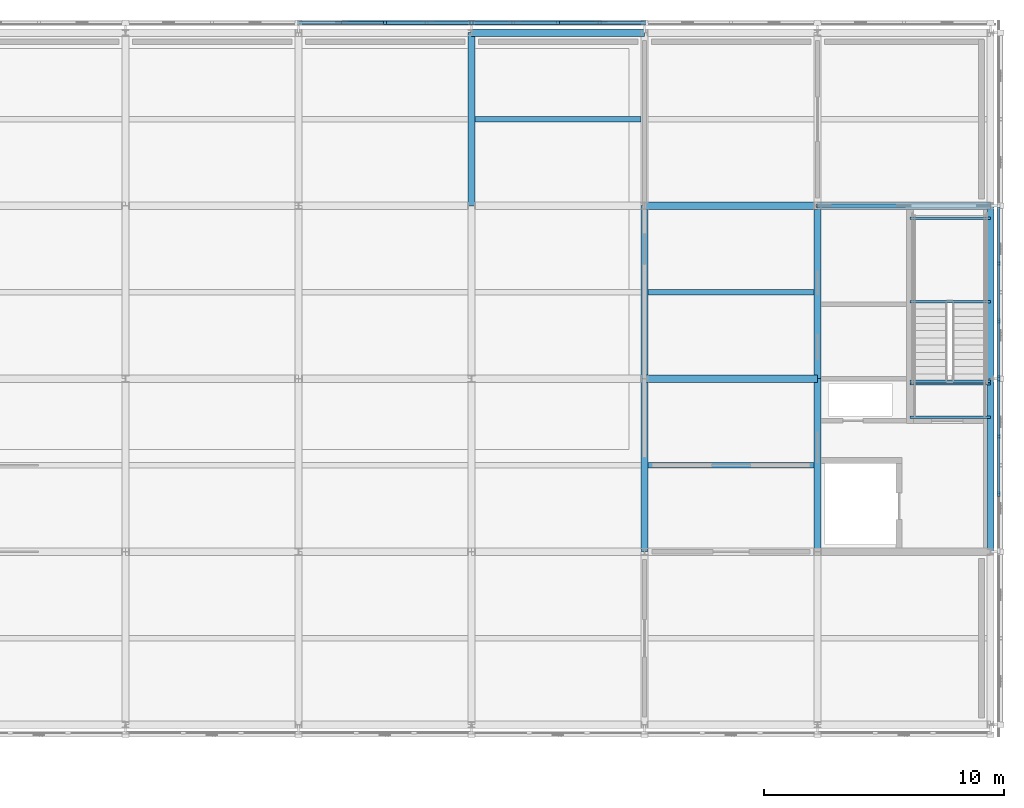
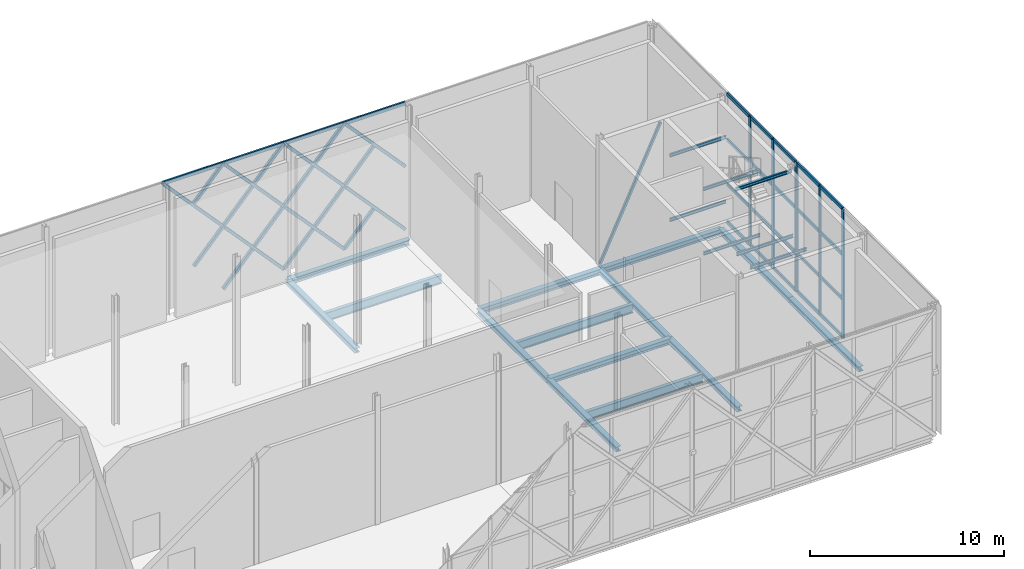
# One storey, part 47 of 76: 48 members, 21 beams, 2 elements without a shape of their own.
"""IFC4 building model written with IfcOpenShell, lengths in metres."""

from ifc_helpers import new_model, si_unit, direction, frame, origin, origin_2d, place, context, subcontext, project, spatial, rectangle, hollow_rectangle, i_section, extrude, material, material_profile, profile_set, type_object, element, aggregate, save


model = new_model("IFC4")

# Units and contexts
model_context = context("Model", 3, precision=1e-05, world=origin(), true_north=direction((0.0, 1.0)))
body_context = subcontext(model_context, "Body", "Model", "MODEL_VIEW")
ifc_project = project(units=[si_unit("LENGTHUNIT", "METRE"), si_unit("AREAUNIT", "SQUARE_METRE"), si_unit("VOLUMEUNIT", "CUBIC_METRE"), si_unit("PLANEANGLEUNIT", "RADIAN"), si_unit("MASSUNIT", "GRAM", prefix="KILO")], contexts=[model_context])

# Site, building, storey
site_placement = place(None, origin())
site = spatial("IfcSite", under=ifc_project, at=site_placement, CompositionType="ELEMENT")
building_placement = place(site_placement, origin())
building = spatial("IfcBuilding", under=site, at=building_placement, Name="Zlatovets Crest Museum", CompositionType="ELEMENT")
storey_placement = place(building_placement, frame((0.0, 0.0, 17.10009765625)))
storey = spatial("IfcBuildingStorey", under=building, at=storey_placement, Name="L04", CompositionType="ELEMENT", Elevation=17.10009765625)

# Beams
ifc_material_1 = material(Name="Structural steel S355J2", Category="steel")
ifc_material_profile_1 = material_profile(ifc_material_1, i_section(OverallWidth=0.300048828125, OverallDepth=0.35009765625, WebThickness=0.010009765625, FlangeThickness=0.017578125, FilletRadius=0.027099609375, at=origin_2d()), Name="HEA 360")
ifc_profile_set_1 = profile_set([ifc_material_profile_1], Name="Structural steel S355J2")
beam_type_1 = type_object("IfcBeamType", Name="Beam_B-03", PredefinedType="BEAM", material=ifc_profile_set_1)
for number, where, z_axis, x_axis, name in (
    (1, (93.60009765625, 100.800048828125, -0.4150390625), (1.0, 0.0, 0.0), (0.0, 1.0, 0.0), "V1 L04 Primary Girder B-03"),
    (2, (93.60009765625, 108.0, -0.4150390625), (1.0, 0.0, 0.0), (0.0, 1.0, 0.0), "V1 L04 Primary Girder B-03"),
    (3, (100.800048828125, 108.0, -0.4150390625), (1.0, 0.0, 0.0), (0.0, 1.0, 0.0), "V1 L04 Primary Girder B-03"),
):
    element("IfcBeam", number, at=place(storey_placement, frame(where, z_axis=z_axis, x_axis=x_axis)), inside=storey, type_object=beam_type_1, Name=name, PredefinedType="BEAM", context=body_context, shape_type="SweptSolid", body=[
        extrude(i_section(OverallWidth=0.300048828125, OverallDepth=0.35009765625, WebThickness=0.010009765625, FlangeThickness=0.017578125, FilletRadius=0.027099609375, at=origin_2d()), origin(), (0.0, 0.0, 1.0), 7.199951171875),
    ])
beam_placement = place(storey_placement, frame((86.39990234375, 115.199951171875, -0.4150390625), z_axis=(1.0, 0.0, 0.0), x_axis=(0.0, 1.0, 0.0)))
element("IfcBeam", 4, at=beam_placement, inside=storey, type_object=beam_type_1, Name="V1 L04 Primary Girder B-03", PredefinedType="BEAM", context=body_context, shape_type="SweptSolid", body=[
    extrude(i_section(OverallWidth=0.300048828125, OverallDepth=0.35009765625, WebThickness=0.010009765625, FlangeThickness=0.017578125, FilletRadius=0.027099609375, at=origin_2d()), origin(), (0.0, 0.0, 1.0), 7.2001953125),
])
ifc_material_profile_2 = material_profile(ifc_material_1, i_section(OverallWidth=0.300048828125, OverallDepth=0.31005859375, WebThickness=0.009033203125, FlangeThickness=0.015380859375, FilletRadius=0.027099609375, at=origin_2d()), Name="HEA 320")
ifc_profile_set_2 = profile_set([ifc_material_profile_2], Name="Structural steel S355J2")
beam_type_2 = type_object("IfcBeamType", Name="Beam_B-04", PredefinedType="BEAM", material=ifc_profile_set_2)
for number, where, z_axis, x_axis, name in (
    (5, (86.39990234375, 108.0, -0.39501953125), (0.0, 1.0, 0.0), (-1.0, 0.0, 0.0), "V1 L04 Grid Beam B-04"),
    (6, (93.60009765625, 93.60009765625, -0.39501953125), (0.0, 1.0, 0.0), (-1.0, 0.0, 0.0), "V1 L04 Grid Beam B-04"),
    (7, (93.60009765625, 100.800048828125, -0.39501953125), (0.0, 1.0, 0.0), (-1.0, 0.0, 0.0), "V1 L04 Grid Beam B-04"),
    (8, (100.800048828125, 93.60009765625, -0.39501953125), (0.0, 1.0, 0.0), (-1.0, 0.0, 0.0), "V1 L04 Grid Beam B-04"),
    (9, (100.800048828125, 100.800048828125, -0.39501953125), (0.0, 1.0, 0.0), (-1.0, 0.0, 0.0), "V1 L04 Grid Beam B-04"),
    (10, (108.0, 93.60009765625, -0.39501953125), (0.0, 1.0, 0.0), (-1.0, 0.0, 0.0), "V1 L04 Grid Beam B-04"),
    (11, (108.0, 100.800048828125, -0.39501953125), (0.0, 1.0, 0.0), (-1.0, 0.0, 0.0), "V1 L04 Grid Beam B-04"),
):
    element("IfcBeam", number, at=place(storey_placement, frame(where, z_axis=z_axis, x_axis=x_axis)), inside=storey, type_object=beam_type_2, Name=name, PredefinedType="BEAM", context=body_context, shape_type="SweptSolid", body=[
        extrude(i_section(OverallWidth=0.300048828125, OverallDepth=0.31005859375, WebThickness=0.009033203125, FlangeThickness=0.015380859375, FilletRadius=0.027099609375, at=origin_2d()), origin(), (0.0, 0.0, 1.0), 7.199951171875),
    ])
ifc_material_profile_3 = material_profile(ifc_material_1, i_section(OverallWidth=0.2099609375, OverallDepth=0.550048828125, WebThickness=0.010986328125, FlangeThickness=0.01708984375, FilletRadius=0.02392578125, at=origin_2d()), Name="IPE 550")
ifc_profile_set_3 = profile_set([ifc_material_profile_3], Name="Structural steel S355J2")
beam_type_3 = type_object("IfcBeamType", Name="Beam_J-07", PredefinedType="JOIST", material=ifc_profile_set_3)
for number, where, z_axis, x_axis, name in (
    (12, (86.550048828125, 111.60009765625, -0.51513671875), (1.0, 0.0, 0.0), (0.0, 1.0, 0.0), "V1 L04 Composite Joist J-07"),
    (13, (93.75, 97.199951171875, -0.51513671875), (1.0, 0.0, 0.0), (0.0, 1.0, 0.0), "V1 L04 Composite Joist J-07"),
    (14, (93.75, 104.39990234375, -0.51513671875), (1.0, 0.0, 0.0), (0.0, 1.0, 0.0), "V1 L04 Composite Joist J-07"),
):
    element("IfcBeam", number, at=place(storey_placement, frame(where, z_axis=z_axis, x_axis=x_axis)), inside=storey, type_object=beam_type_3, Name=name, PredefinedType="JOIST", context=body_context, shape_type="SweptSolid", body=[
        extrude(i_section(OverallWidth=0.2099609375, OverallDepth=0.550048828125, WebThickness=0.010986328125, FlangeThickness=0.01708984375, FilletRadius=0.02392578125, at=origin_2d()), origin(), (0.0, 0.0, 1.0), 6.89990234375),
    ])
ifc_material_profile_4 = material_profile(ifc_material_1, i_section(OverallWidth=0.10009765625, OverallDepth=0.199951171875, WebThickness=0.005615234375, FlangeThickness=0.008544921875, FilletRadius=0.011962890625, at=origin_2d()), Name="IPE 200")
ifc_profile_set_4 = profile_set([ifc_material_profile_4], Name="Structural steel S355J2")
beam_type_4 = type_object("IfcBeamType", Name="Beam_PR-02", PredefinedType="LINTEL", material=ifc_profile_set_4)
for number, where, z_axis, x_axis, name in (
    (15, (104.64990234375, 100.699951171875, 7.760009765625), (1.0, 0.0, 0.0), (0.0, 1.0, 0.0), "Core C6 L04 Stair Well Header Beam"),
    (16, (104.64990234375, 104.0, 1.724853515625), (1.0, 0.0, 0.0), (0.0, 1.0, 0.0), "Core C6 L04 Half-Landing Support Beam"),
    (17, (104.64990234375, 107.47998046875, 1.724853515625), (1.0, 0.0, 0.0), (0.0, 1.0, 0.0), "Core C6 L04 Half-Landing Support Beam"),
    (18, (104.64990234375, 99.199951171875, 3.75), (1.0, 0.0, 0.0), (0.0, 1.0, 0.0), "Core C6 L04 Half-Landing Support Beam"),
    (19, (104.64990234375, 100.580078125, 3.75), (1.0, 0.0, 0.0), (0.0, 1.0, 0.0), "Core C6 L04 Half-Landing Support Beam"),
    (20, (104.64990234375, 104.0, 5.77490234375), (1.0, 0.0, 0.0), (0.0, 1.0, 0.0), "Core C6 L04 Half-Landing Support Beam"),
    (21, (104.64990234375, 107.47998046875, 5.77490234375), (1.0, 0.0, 0.0), (0.0, 1.0, 0.0), "Core C6 L04 Half-Landing Support Beam"),
):
    element("IfcBeam", number, at=place(storey_placement, frame(where, z_axis=z_axis, x_axis=x_axis)), inside=storey, type_object=beam_type_4, Name=name, PredefinedType="LINTEL", context=body_context, shape_type="SweptSolid", body=[
        extrude(i_section(OverallWidth=0.10009765625, OverallDepth=0.199951171875, WebThickness=0.005615234375, FlangeThickness=0.008544921875, FilletRadius=0.011962890625, at=origin_2d()), origin(), (0.0, 0.0, 1.0), 3.35009765625),
    ])

# Curtain wall, members
ifc_material_2 = material(Name="Bronze-anodised aluminium and low-E triple glass", Category="aluminium")
curtain_wall_type_1 = type_object("IfcCurtainWallType", Name="CW_CW-V1-L04-M0", PredefinedType="NOTDEFINED", material=ifc_material_2)
curtain_wall_1_placement = place(storey_placement, origin())
curtain_wall_1 = element("IfcCurtainWall", 22, at=curtain_wall_1_placement, inside=storey, type_object=curtain_wall_type_1, Name="V1 L04 Expressed Core Glazed Facade", PredefinedType="NOTDEFINED")
ifc_material_3 = material(Name="Bronze-anodised aluminium EN AW-6060", Category="aluminium")
ifc_material_profile_5 = material_profile(ifc_material_3, rectangle(XDim=0.090087890625, YDim=0.199951171875, at=origin_2d()), Name="ALU 90x200")
ifc_profile_set_5 = profile_set([ifc_material_profile_5], Name="Bronze-anodised aluminium EN AW-6060")
member_type_1 = type_object("IfcMemberType", Name="CWMull_M2", PredefinedType="MULLION", material=ifc_profile_set_5)
member_1_placement = place(storey_placement, frame((108.340087890625, 96.0, 0.0), z_axis=(0.0, 0.0, 1.0), x_axis=(-1.0, 0.0, 0.0)))
member_1 = element("IfcMember", 23, at=member_1_placement, type_object=member_type_1, Name="CW-V1-L04-M0 mullion 2", PredefinedType="MULLION", context=body_context, shape_type="SweptSolid", body=[
    extrude(rectangle(XDim=0.090087890625, YDim=0.199951171875, at=origin_2d()), origin(), (0.0, 0.0, 1.0), 8.099853515625),
])
member_2_placement = place(storey_placement, frame((108.340087890625, 98.39990234375, 0.0), z_axis=(0.0, 0.0, 1.0), x_axis=(-1.0, 0.0, 0.0)))
member_2 = element("IfcMember", 24, at=member_2_placement, type_object=member_type_1, Name="CW-V1-L04-M0 mullion 3", PredefinedType="MULLION", context=body_context, shape_type="SweptSolid", body=[
    extrude(rectangle(XDim=0.090087890625, YDim=0.199951171875, at=origin_2d()), origin(), (0.0, 0.0, 1.0), 8.099853515625),
])
member_3_placement = place(storey_placement, frame((108.340087890625, 100.77001953125, 0.0), z_axis=(0.0, 0.0, 1.0), x_axis=(-1.0, 0.0, 0.0)))
member_3 = element("IfcMember", 25, at=member_3_placement, type_object=member_type_1, Name="CW-V1-L04-M0 mullion 4", PredefinedType="MULLION", context=body_context, shape_type="SweptSolid", body=[
    extrude(rectangle(XDim=0.090087890625, YDim=0.199951171875, at=origin_2d()), origin(), (0.0, 0.0, 1.0), 8.099853515625),
])

curtain_wall_type_2 = type_object("IfcCurtainWallType", Name="CW_CW-V1-L04-M1", PredefinedType="NOTDEFINED", material=ifc_material_2)
curtain_wall_2_placement = place(storey_placement, origin())
curtain_wall_2 = element("IfcCurtainWall", 26, at=curtain_wall_2_placement, inside=storey, type_object=curtain_wall_type_2, Name="V1 L04 Expressed Core Glazed Facade", PredefinedType="NOTDEFINED")
member_4_placement = place(storey_placement, frame((108.340087890625, 100.830078125, 0.0), z_axis=(0.0, 0.0, 1.0), x_axis=(-1.0, 0.0, 0.0)))
member_4 = element("IfcMember", 27, at=member_4_placement, type_object=member_type_1, Name="CW-V1-L04-M1 mullion 1", PredefinedType="MULLION", context=body_context, shape_type="SweptSolid", body=[
    extrude(rectangle(XDim=0.090087890625, YDim=0.199951171875, at=origin_2d()), origin(), (0.0, 0.0, 1.0), 8.099853515625),
])
member_5_placement = place(storey_placement, frame((108.340087890625, 103.199951171875, 0.0), z_axis=(0.0, 0.0, 1.0), x_axis=(-1.0, 0.0, 0.0)))
member_5 = element("IfcMember", 28, at=member_5_placement, type_object=member_type_1, Name="CW-V1-L04-M1 mullion 2", PredefinedType="MULLION", context=body_context, shape_type="SweptSolid", body=[
    extrude(rectangle(XDim=0.090087890625, YDim=0.199951171875, at=origin_2d()), origin(), (0.0, 0.0, 1.0), 8.099853515625),
])
member_6_placement = place(storey_placement, frame((108.340087890625, 105.60009765625, 0.0), z_axis=(0.0, 0.0, 1.0), x_axis=(-1.0, 0.0, 0.0)))
member_6 = element("IfcMember", 29, at=member_6_placement, type_object=member_type_1, Name="CW-V1-L04-M1 mullion 3", PredefinedType="MULLION", context=body_context, shape_type="SweptSolid", body=[
    extrude(rectangle(XDim=0.090087890625, YDim=0.199951171875, at=origin_2d()), origin(), (0.0, 0.0, 1.0), 8.099853515625),
])

# Member
ifc_material_profile_6 = material_profile(ifc_material_3, rectangle(XDim=0.090087890625, YDim=0.199951171875, at=origin_2d()), Name="ALU 90x200")
ifc_profile_set_6 = profile_set([ifc_material_profile_6], Name="Bronze-anodised aluminium EN AW-6060")
member_type_2 = type_object("IfcMemberType", Name="CWTrans_T2", PredefinedType="USERDEFINED", material=ifc_profile_set_6)
member_7_placement = place(storey_placement, frame((108.340087890625, 96.030029296875, 0.02978515625), z_axis=(0.0, 1.0, 0.0), x_axis=(-1.0, 0.0, 0.0)))
member_7 = element("IfcMember", 30, at=member_7_placement, type_object=member_type_2, Name="CW-V1-L04-M0 transom 2.1", ObjectType="TRANSOM", PredefinedType="USERDEFINED", context=body_context, shape_type="SweptSolid", body=[
    extrude(rectangle(XDim=0.090087890625, YDim=0.199951171875, at=origin_2d()), origin(), (0.0, 0.0, 1.0), 2.340087890625),
])

member_8_placement = place(storey_placement, frame((108.340087890625, 96.030029296875, 2.39990234375), z_axis=(0.0, 1.0, 0.0), x_axis=(-1.0, 0.0, 0.0)))
member_8 = element("IfcMember", 31, at=member_8_placement, type_object=member_type_2, Name="CW-V1-L04-M0 transom 2.2", ObjectType="TRANSOM", PredefinedType="USERDEFINED", context=body_context, shape_type="SweptSolid", body=[
    extrude(rectangle(XDim=0.090087890625, YDim=0.199951171875, at=origin_2d()), origin(), (0.0, 0.0, 1.0), 2.340087890625),
])

member_9_placement = place(storey_placement, frame((108.340087890625, 96.030029296875, 5.199951171875), z_axis=(0.0, 1.0, 0.0), x_axis=(-1.0, 0.0, 0.0)))
member_9 = element("IfcMember", 32, at=member_9_placement, type_object=member_type_2, Name="CW-V1-L04-M0 transom 2.3", ObjectType="TRANSOM", PredefinedType="USERDEFINED", context=body_context, shape_type="SweptSolid", body=[
    extrude(rectangle(XDim=0.090087890625, YDim=0.199951171875, at=origin_2d()), origin(), (0.0, 0.0, 1.0), 2.340087890625),
])

member_10_placement = place(storey_placement, frame((108.340087890625, 96.030029296875, 8.06982421875), z_axis=(0.0, 1.0, 0.0), x_axis=(-1.0, 0.0, 0.0)))
member_10 = element("IfcMember", 33, at=member_10_placement, type_object=member_type_2, Name="CW-V1-L04-M0 transom 2.4", ObjectType="TRANSOM", PredefinedType="USERDEFINED", context=body_context, shape_type="SweptSolid", body=[
    extrude(rectangle(XDim=0.090087890625, YDim=0.199951171875, at=origin_2d()), origin(), (0.0, 0.0, 1.0), 2.340087890625),
])

member_11_placement = place(storey_placement, frame((108.340087890625, 98.429931640625, 0.02978515625), z_axis=(0.0, 1.0, 0.0), x_axis=(-1.0, 0.0, 0.0)))
member_11 = element("IfcMember", 34, at=member_11_placement, type_object=member_type_2, Name="CW-V1-L04-M0 transom 3.1", ObjectType="TRANSOM", PredefinedType="USERDEFINED", context=body_context, shape_type="SweptSolid", body=[
    extrude(rectangle(XDim=0.090087890625, YDim=0.199951171875, at=origin_2d()), origin(), (0.0, 0.0, 1.0), 2.31005859375),
])

member_12_placement = place(storey_placement, frame((108.340087890625, 98.429931640625, 2.39990234375), z_axis=(0.0, 1.0, 0.0), x_axis=(-1.0, 0.0, 0.0)))
member_12 = element("IfcMember", 35, at=member_12_placement, type_object=member_type_2, Name="CW-V1-L04-M0 transom 3.2", ObjectType="TRANSOM", PredefinedType="USERDEFINED", context=body_context, shape_type="SweptSolid", body=[
    extrude(rectangle(XDim=0.090087890625, YDim=0.199951171875, at=origin_2d()), origin(), (0.0, 0.0, 1.0), 2.31005859375),
])

member_13_placement = place(storey_placement, frame((108.340087890625, 98.429931640625, 5.199951171875), z_axis=(0.0, 1.0, 0.0), x_axis=(-1.0, 0.0, 0.0)))
member_13 = element("IfcMember", 36, at=member_13_placement, type_object=member_type_2, Name="CW-V1-L04-M0 transom 3.3", ObjectType="TRANSOM", PredefinedType="USERDEFINED", context=body_context, shape_type="SweptSolid", body=[
    extrude(rectangle(XDim=0.090087890625, YDim=0.199951171875, at=origin_2d()), origin(), (0.0, 0.0, 1.0), 2.31005859375),
])

member_14_placement = place(storey_placement, frame((108.340087890625, 98.429931640625, 8.06982421875), z_axis=(0.0, 1.0, 0.0), x_axis=(-1.0, 0.0, 0.0)))
member_14 = element("IfcMember", 37, at=member_14_placement, type_object=member_type_2, Name="CW-V1-L04-M0 transom 3.4", ObjectType="TRANSOM", PredefinedType="USERDEFINED", context=body_context, shape_type="SweptSolid", body=[
    extrude(rectangle(XDim=0.090087890625, YDim=0.199951171875, at=origin_2d()), origin(), (0.0, 0.0, 1.0), 2.31005859375),
])

aggregate(curtain_wall_1, [member_1, member_2, member_3, member_7, member_8, member_9, member_10, member_11, member_12, member_13, member_14])

member_15_placement = place(storey_placement, frame((108.340087890625, 100.860107421875, 0.02978515625), z_axis=(0.0, 1.0, 0.0), x_axis=(-1.0, 0.0, 0.0)))
member_15 = element("IfcMember", 38, at=member_15_placement, type_object=member_type_2, Name="CW-V1-L04-M1 transom 1.1", ObjectType="TRANSOM", PredefinedType="USERDEFINED", context=body_context, shape_type="SweptSolid", body=[
    extrude(rectangle(XDim=0.090087890625, YDim=0.199951171875, at=origin_2d()), origin(), (0.0, 0.0, 1.0), 2.309814453125),
])

member_16_placement = place(storey_placement, frame((108.340087890625, 100.860107421875, 2.39990234375), z_axis=(0.0, 1.0, 0.0), x_axis=(-1.0, 0.0, 0.0)))
member_16 = element("IfcMember", 39, at=member_16_placement, type_object=member_type_2, Name="CW-V1-L04-M1 transom 1.2", ObjectType="TRANSOM", PredefinedType="USERDEFINED", context=body_context, shape_type="SweptSolid", body=[
    extrude(rectangle(XDim=0.090087890625, YDim=0.199951171875, at=origin_2d()), origin(), (0.0, 0.0, 1.0), 2.309814453125),
])

member_17_placement = place(storey_placement, frame((108.340087890625, 100.860107421875, 5.199951171875), z_axis=(0.0, 1.0, 0.0), x_axis=(-1.0, 0.0, 0.0)))
member_17 = element("IfcMember", 40, at=member_17_placement, type_object=member_type_2, Name="CW-V1-L04-M1 transom 1.3", ObjectType="TRANSOM", PredefinedType="USERDEFINED", context=body_context, shape_type="SweptSolid", body=[
    extrude(rectangle(XDim=0.090087890625, YDim=0.199951171875, at=origin_2d()), origin(), (0.0, 0.0, 1.0), 2.309814453125),
])

member_18_placement = place(storey_placement, frame((108.340087890625, 100.860107421875, 8.06982421875), z_axis=(0.0, 1.0, 0.0), x_axis=(-1.0, 0.0, 0.0)))
member_18 = element("IfcMember", 41, at=member_18_placement, type_object=member_type_2, Name="CW-V1-L04-M1 transom 1.4", ObjectType="TRANSOM", PredefinedType="USERDEFINED", context=body_context, shape_type="SweptSolid", body=[
    extrude(rectangle(XDim=0.090087890625, YDim=0.199951171875, at=origin_2d()), origin(), (0.0, 0.0, 1.0), 2.309814453125),
])

member_19_placement = place(storey_placement, frame((108.340087890625, 103.22998046875, 0.02978515625), z_axis=(0.0, 1.0, 0.0), x_axis=(-1.0, 0.0, 0.0)))
member_19 = element("IfcMember", 42, at=member_19_placement, type_object=member_type_2, Name="CW-V1-L04-M1 transom 2.1", ObjectType="TRANSOM", PredefinedType="USERDEFINED", context=body_context, shape_type="SweptSolid", body=[
    extrude(rectangle(XDim=0.090087890625, YDim=0.199951171875, at=origin_2d()), origin(), (0.0, 0.0, 1.0), 2.340087890625),
])

member_20_placement = place(storey_placement, frame((108.340087890625, 103.22998046875, 2.39990234375), z_axis=(0.0, 1.0, 0.0), x_axis=(-1.0, 0.0, 0.0)))
member_20 = element("IfcMember", 43, at=member_20_placement, type_object=member_type_2, Name="CW-V1-L04-M1 transom 2.2", ObjectType="TRANSOM", PredefinedType="USERDEFINED", context=body_context, shape_type="SweptSolid", body=[
    extrude(rectangle(XDim=0.090087890625, YDim=0.199951171875, at=origin_2d()), origin(), (0.0, 0.0, 1.0), 2.340087890625),
])

member_21_placement = place(storey_placement, frame((108.340087890625, 103.22998046875, 5.199951171875), z_axis=(0.0, 1.0, 0.0), x_axis=(-1.0, 0.0, 0.0)))
member_21 = element("IfcMember", 44, at=member_21_placement, type_object=member_type_2, Name="CW-V1-L04-M1 transom 2.3", ObjectType="TRANSOM", PredefinedType="USERDEFINED", context=body_context, shape_type="SweptSolid", body=[
    extrude(rectangle(XDim=0.090087890625, YDim=0.199951171875, at=origin_2d()), origin(), (0.0, 0.0, 1.0), 2.340087890625),
])

member_22_placement = place(storey_placement, frame((108.340087890625, 103.22998046875, 8.06982421875), z_axis=(0.0, 1.0, 0.0), x_axis=(-1.0, 0.0, 0.0)))
member_22 = element("IfcMember", 45, at=member_22_placement, type_object=member_type_2, Name="CW-V1-L04-M1 transom 2.4", ObjectType="TRANSOM", PredefinedType="USERDEFINED", context=body_context, shape_type="SweptSolid", body=[
    extrude(rectangle(XDim=0.090087890625, YDim=0.199951171875, at=origin_2d()), origin(), (0.0, 0.0, 1.0), 2.340087890625),
])

member_23_placement = place(storey_placement, frame((108.340087890625, 105.6298828125, 0.02978515625), z_axis=(0.0, 1.0, 0.0), x_axis=(-1.0, 0.0, 0.0)))
member_23 = element("IfcMember", 46, at=member_23_placement, type_object=member_type_2, Name="CW-V1-L04-M1 transom 3.1", ObjectType="TRANSOM", PredefinedType="USERDEFINED", context=body_context, shape_type="SweptSolid", body=[
    extrude(rectangle(XDim=0.090087890625, YDim=0.199951171875, at=origin_2d()), origin(), (0.0, 0.0, 1.0), 2.31005859375),
])

member_24_placement = place(storey_placement, frame((108.340087890625, 105.6298828125, 2.39990234375), z_axis=(0.0, 1.0, 0.0), x_axis=(-1.0, 0.0, 0.0)))
member_24 = element("IfcMember", 47, at=member_24_placement, type_object=member_type_2, Name="CW-V1-L04-M1 transom 3.2", ObjectType="TRANSOM", PredefinedType="USERDEFINED", context=body_context, shape_type="SweptSolid", body=[
    extrude(rectangle(XDim=0.090087890625, YDim=0.199951171875, at=origin_2d()), origin(), (0.0, 0.0, 1.0), 2.31005859375),
])

member_25_placement = place(storey_placement, frame((108.340087890625, 105.6298828125, 5.199951171875), z_axis=(0.0, 1.0, 0.0), x_axis=(-1.0, 0.0, 0.0)))
member_25 = element("IfcMember", 48, at=member_25_placement, type_object=member_type_2, Name="CW-V1-L04-M1 transom 3.3", ObjectType="TRANSOM", PredefinedType="USERDEFINED", context=body_context, shape_type="SweptSolid", body=[
    extrude(rectangle(XDim=0.090087890625, YDim=0.199951171875, at=origin_2d()), origin(), (0.0, 0.0, 1.0), 2.31005859375),
])

member_26_placement = place(storey_placement, frame((108.340087890625, 105.6298828125, 8.06982421875), z_axis=(0.0, 1.0, 0.0), x_axis=(-1.0, 0.0, 0.0)))
member_26 = element("IfcMember", 49, at=member_26_placement, type_object=member_type_2, Name="CW-V1-L04-M1 transom 3.4", ObjectType="TRANSOM", PredefinedType="USERDEFINED", context=body_context, shape_type="SweptSolid", body=[
    extrude(rectangle(XDim=0.090087890625, YDim=0.199951171875, at=origin_2d()), origin(), (0.0, 0.0, 1.0), 2.31005859375),
])

aggregate(curtain_wall_2, [member_4, member_5, member_6, member_15, member_16, member_17, member_18, member_19, member_20, member_21, member_22, member_23, member_24, member_25, member_26])

# Members
ifc_material_4 = material(Name="Weathering bronze-steel S355J2W", Category="steel")
ifc_material_profile_7 = material_profile(ifc_material_4, hollow_rectangle(XDim=0.179931640625, YDim=0.179931640625, WallThickness=0.010009765625, InnerFilletRadius=0.010009765625, OuterFilletRadius=0.02001953125, at=origin_2d()), Name="SHS 180x180x10.0")
ifc_profile_set_7 = profile_set([ifc_material_profile_7], Name="Weathering bronze-steel S355J2W")
member_type_3 = type_object("IfcMemberType", Name="Lattice_XL-01", PredefinedType="BRACE", material=ifc_profile_set_7)
member_27_placement = place(storey_placement, frame((93.60009765625, 115.6201171875, 0.099853515625), z_axis=(-0.673618118362, 0.0, 0.739079583411), x_axis=(0.0, -1.0, 0.0)))
element("IfcMember", 50, at=member_27_placement, inside=storey, type_object=member_type_3, Name="Continuous Bronze Lattice Diagonal", PredefinedType="BRACE", context=body_context, shape_type="SweptSolid", body=[
    extrude(hollow_rectangle(XDim=0.179931640625, YDim=0.179931640625, WallThickness=0.010009765625, InnerFilletRadius=0.010009765625, OuterFilletRadius=0.02001953125, at=origin_2d()), origin(), (0.0, 0.0, 1.0), 5.344482421875),
])
member_28_placement = place(storey_placement, frame((91.736083984375, 115.6201171875, 2.004638671875), z_axis=(-0.673619963761, 0.0, -0.739077901457), x_axis=(0.0, -1.0, 0.0)))
element("IfcMember", 51, at=member_28_placement, inside=storey, type_object=member_type_3, Name="Split Crossing Bronze Lattice Diagonal Lower", PredefinedType="BRACE", context=body_context, shape_type="SweptSolid", body=[
    extrude(hollow_rectangle(XDim=0.179931640625, YDim=0.179931640625, WallThickness=0.010009765625, InnerFilletRadius=0.010009765625, OuterFilletRadius=0.02001953125, at=origin_2d()), origin(), (0.0, 0.0, 1.0), 2.5771484375),
])
member_29_placement = place(storey_placement, frame((90.0, 115.6201171875, 0.099853515625), z_axis=(-0.673618118362, 0.0, 0.739079583411), x_axis=(0.0, -1.0, 0.0)))
element("IfcMember", 52, at=member_29_placement, inside=storey, type_object=member_type_3, Name="Continuous Bronze Lattice Diagonal", PredefinedType="BRACE", context=body_context, shape_type="SweptSolid", body=[
    extrude(hollow_rectangle(XDim=0.179931640625, YDim=0.179931640625, WallThickness=0.010009765625, InnerFilletRadius=0.010009765625, OuterFilletRadius=0.02001953125, at=origin_2d()), origin(), (0.0, 0.0, 1.0), 5.344482421875),
])
for number, where, z_axis, x_axis, name in (
    (53, (90.0, 115.6201171875, 4.0498046875), (-0.673619963761, 0.0, -0.739077901457), (0.0, -1.0, 0.0), "Split Crossing Bronze Lattice Diagonal Upper"),
    (54, (88.135986328125, 115.6201171875, 2.004638671875), (-0.673619963761, 0.0, -0.739077901457), (0.0, -1.0, 0.0), "Split Crossing Bronze Lattice Diagonal Lower"),
):
    element("IfcMember", number, at=place(storey_placement, frame(where, z_axis=z_axis, x_axis=x_axis)), inside=storey, type_object=member_type_3, Name=name, PredefinedType="BRACE", context=body_context, shape_type="SweptSolid", body=[
        extrude(hollow_rectangle(XDim=0.179931640625, YDim=0.179931640625, WallThickness=0.010009765625, InnerFilletRadius=0.010009765625, OuterFilletRadius=0.02001953125, at=origin_2d()), origin(), (0.0, 0.0, 1.0), 2.5771484375),
    ])
member_30_placement = place(storey_placement, frame((93.60009765625, 115.6201171875, 4.0498046875), z_axis=(-0.673595375981, 0.0, 0.739100310822), x_axis=(0.0, -1.0, 0.0)))
element("IfcMember", 55, at=member_30_placement, inside=storey, type_object=member_type_3, Name="Continuous Bronze Lattice Diagonal", PredefinedType="BRACE", context=body_context, shape_type="SweptSolid", body=[
    extrude(hollow_rectangle(XDim=0.179931640625, YDim=0.179931640625, WallThickness=0.010009765625, InnerFilletRadius=0.010009765625, OuterFilletRadius=0.02001953125, at=origin_2d()), origin(), (0.0, 0.0, 1.0), 5.344482421875),
])
member_31_placement = place(storey_placement, frame((91.736083984375, 115.6201171875, 5.95458984375), z_axis=(-0.673619963761, 0.0, -0.739077901457), x_axis=(0.0, -1.0, 0.0)))
element("IfcMember", 56, at=member_31_placement, inside=storey, type_object=member_type_3, Name="Split Crossing Bronze Lattice Diagonal Lower", PredefinedType="BRACE", context=body_context, shape_type="SweptSolid", body=[
    extrude(hollow_rectangle(XDim=0.179931640625, YDim=0.179931640625, WallThickness=0.010009765625, InnerFilletRadius=0.010009765625, OuterFilletRadius=0.02001953125, at=origin_2d()), origin(), (0.0, 0.0, 1.0), 2.5771484375),
])
member_32_placement = place(storey_placement, frame((90.0, 115.6201171875, 4.0498046875), z_axis=(-0.673595375981, 0.0, 0.739100310822), x_axis=(0.0, -1.0, 0.0)))
element("IfcMember", 57, at=member_32_placement, inside=storey, type_object=member_type_3, Name="Continuous Bronze Lattice Diagonal", PredefinedType="BRACE", context=body_context, shape_type="SweptSolid", body=[
    extrude(hollow_rectangle(XDim=0.179931640625, YDim=0.179931640625, WallThickness=0.010009765625, InnerFilletRadius=0.010009765625, OuterFilletRadius=0.02001953125, at=origin_2d()), origin(), (0.0, 0.0, 1.0), 5.344482421875),
])
for number, where, z_axis, x_axis, name in (
    (58, (90.0, 115.6201171875, 8.0), (-0.673619963761, 0.0, -0.739077901457), (0.0, -1.0, 0.0), "Split Crossing Bronze Lattice Diagonal Upper"),
    (59, (88.135986328125, 115.6201171875, 5.95458984375), (-0.673619963761, 0.0, -0.739077901457), (0.0, -1.0, 0.0), "Split Crossing Bronze Lattice Diagonal Lower"),
):
    element("IfcMember", number, at=place(storey_placement, frame(where, z_axis=z_axis, x_axis=x_axis)), inside=storey, type_object=member_type_3, Name=name, PredefinedType="BRACE", context=body_context, shape_type="SweptSolid", body=[
        extrude(hollow_rectangle(XDim=0.179931640625, YDim=0.179931640625, WallThickness=0.010009765625, InnerFilletRadius=0.010009765625, OuterFilletRadius=0.02001953125, at=origin_2d()), origin(), (0.0, 0.0, 1.0), 2.5771484375),
    ])
member_33_placement = place(storey_placement, frame((86.39990234375, 115.6201171875, 0.099853515625), z_axis=(-0.673593164257, 0.0, 0.739102326519), x_axis=(0.0, -1.0, 0.0)))
element("IfcMember", 60, at=member_33_placement, inside=storey, type_object=member_type_3, Name="Continuous Bronze Lattice Diagonal", PredefinedType="BRACE", context=body_context, shape_type="SweptSolid", body=[
    extrude(hollow_rectangle(XDim=0.179931640625, YDim=0.179931640625, WallThickness=0.010009765625, InnerFilletRadius=0.010009765625, OuterFilletRadius=0.02001953125, at=origin_2d()), origin(), (0.0, 0.0, 1.0), 5.34423828125),
])
for number, where, z_axis, x_axis, name in (
    (61, (86.39990234375, 115.6201171875, 4.0498046875), (-0.673568214247, 0.0, -0.739125064354), (0.0, -1.0, 0.0), "Split Crossing Bronze Lattice Diagonal Upper"),
    (62, (84.535888671875, 115.6201171875, 2.004638671875), (-0.673568214247, 0.0, -0.739125064354), (0.0, -1.0, 0.0), "Split Crossing Bronze Lattice Diagonal Lower"),
    (63, (82.800048828125, 115.6201171875, 4.0498046875), (-0.673619963761, 0.0, -0.739077901457), (0.0, -1.0, 0.0), "Split Crossing Bronze Lattice Diagonal Upper"),
):
    element("IfcMember", number, at=place(storey_placement, frame(where, z_axis=z_axis, x_axis=x_axis)), inside=storey, type_object=member_type_3, Name=name, PredefinedType="BRACE", context=body_context, shape_type="SweptSolid", body=[
        extrude(hollow_rectangle(XDim=0.179931640625, YDim=0.179931640625, WallThickness=0.010009765625, InnerFilletRadius=0.010009765625, OuterFilletRadius=0.02001953125, at=origin_2d()), origin(), (0.0, 0.0, 1.0), 2.5771484375),
    ])
member_34_placement = place(storey_placement, frame((86.39990234375, 115.6201171875, 4.0498046875), z_axis=(-0.67357042132, 0.0, 0.739123053032), x_axis=(0.0, -1.0, 0.0)))
element("IfcMember", 64, at=member_34_placement, inside=storey, type_object=member_type_3, Name="Continuous Bronze Lattice Diagonal", PredefinedType="BRACE", context=body_context, shape_type="SweptSolid", body=[
    extrude(hollow_rectangle(XDim=0.179931640625, YDim=0.179931640625, WallThickness=0.010009765625, InnerFilletRadius=0.010009765625, OuterFilletRadius=0.02001953125, at=origin_2d()), origin(), (0.0, 0.0, 1.0), 5.344482421875),
])
for number, where, z_axis, x_axis, name in (
    (65, (86.39990234375, 115.6201171875, 8.0), (-0.673568214247, 0.0, -0.739125064354), (0.0, -1.0, 0.0), "Split Crossing Bronze Lattice Diagonal Upper"),
    (66, (84.535888671875, 115.6201171875, 5.95458984375), (-0.673568214247, 0.0, -0.739125064354), (0.0, -1.0, 0.0), "Split Crossing Bronze Lattice Diagonal Lower"),
):
    element("IfcMember", number, at=place(storey_placement, frame(where, z_axis=z_axis, x_axis=x_axis)), inside=storey, type_object=member_type_3, Name=name, PredefinedType="BRACE", context=body_context, shape_type="SweptSolid", body=[
        extrude(hollow_rectangle(XDim=0.179931640625, YDim=0.179931640625, WallThickness=0.010009765625, InnerFilletRadius=0.010009765625, OuterFilletRadius=0.02001953125, at=origin_2d()), origin(), (0.0, 0.0, 1.0), 2.5771484375),
    ])
member_35_placement = place(storey_placement, frame((82.800048828125, 115.6201171875, 4.0498046875), z_axis=(-0.673595375981, 0.0, 0.739100310822), x_axis=(0.0, -1.0, 0.0)))
element("IfcMember", 67, at=member_35_placement, inside=storey, type_object=member_type_3, Name="Continuous Bronze Lattice Diagonal", PredefinedType="BRACE", context=body_context, shape_type="SweptSolid", body=[
    extrude(hollow_rectangle(XDim=0.179931640625, YDim=0.179931640625, WallThickness=0.010009765625, InnerFilletRadius=0.010009765625, OuterFilletRadius=0.02001953125, at=origin_2d()), origin(), (0.0, 0.0, 1.0), 5.344482421875),
])
member_36_placement = place(storey_placement, frame((82.800048828125, 115.6201171875, 8.0), z_axis=(-0.673619963761, 0.0, -0.739077901457), x_axis=(0.0, -1.0, 0.0)))
element("IfcMember", 68, at=member_36_placement, inside=storey, type_object=member_type_3, Name="Split Crossing Bronze Lattice Diagonal Upper", PredefinedType="BRACE", context=body_context, shape_type="SweptSolid", body=[
    extrude(hollow_rectangle(XDim=0.179931640625, YDim=0.179931640625, WallThickness=0.010009765625, InnerFilletRadius=0.010009765625, OuterFilletRadius=0.02001953125, at=origin_2d()), origin(), (0.0, 0.0, 1.0), 2.5771484375),
])
ifc_material_profile_8 = material_profile(ifc_material_4, hollow_rectangle(XDim=0.1201171875, YDim=0.239990234375, WallThickness=0.010009765625, InnerFilletRadius=0.010009765625, OuterFilletRadius=0.02001953125, at=origin_2d()), Name="RHS 120x240x10.0")
ifc_profile_set_8 = profile_set([ifc_material_profile_8], Name="Weathering bronze-steel S355J2W")
member_type_4 = type_object("IfcMemberType", Name="Lattice_XL-04", PredefinedType="CHORD", material=ifc_profile_set_8)
member_37_placement = place(storey_placement, frame((93.60009765625, 115.6201171875, 8.0), z_axis=(-1.0, 0.0, 0.0), x_axis=(0.0, -1.0, 0.0)))
element("IfcMember", 69, at=member_37_placement, inside=storey, type_object=member_type_4, Name="Art Nouveau Woven Cage Collector Ring Chord", PredefinedType="CHORD", context=body_context, shape_type="SweptSolid", body=[
    extrude(hollow_rectangle(XDim=0.1201171875, YDim=0.239990234375, WallThickness=0.010009765625, InnerFilletRadius=0.010009765625, OuterFilletRadius=0.02001953125, at=origin_2d()), origin(), (0.0, 0.0, 1.0), 7.2001953125),
])
member_38_placement = place(storey_placement, frame((86.39990234375, 115.6201171875, 8.0), z_axis=(-1.0, 0.0, 0.0), x_axis=(0.0, -1.0, 0.0)))
element("IfcMember", 70, at=member_38_placement, inside=storey, type_object=member_type_4, Name="Art Nouveau Woven Cage Collector Ring Chord", PredefinedType="CHORD", context=body_context, shape_type="SweptSolid", body=[
    extrude(hollow_rectangle(XDim=0.1201171875, YDim=0.239990234375, WallThickness=0.010009765625, InnerFilletRadius=0.010009765625, OuterFilletRadius=0.02001953125, at=origin_2d()), origin(), (0.0, 0.0, 1.0), 7.199951171875),
])
ifc_material_profile_9 = material_profile(ifc_material_1, hollow_rectangle(XDim=0.14990234375, YDim=0.14990234375, WallThickness=0.008056640625, InnerFilletRadius=0.008056640625, OuterFilletRadius=0.01611328125, at=origin_2d()), Name="SHS 150x150x8.0")
ifc_profile_set_9 = profile_set([ifc_material_profile_9], Name="Structural steel S355J2")
member_type_5 = type_object("IfcMemberType", Name="Member_BR-04", PredefinedType="BRACE", material=ifc_profile_set_9)
member_39_placement = place(storey_placement, frame((100.800048828125, 108.0, 0.0), z_axis=(0.425787301659, 0.0, 0.904823283159), x_axis=(0.0, 1.0, 0.0)))
element("IfcMember", 71, at=member_39_placement, inside=storey, type_object=member_type_5, Name="V1 L04 Concentric Seismic Brace", PredefinedType="BRACE", context=body_context, shape_type="SweptSolid", body=[
    extrude(hollow_rectangle(XDim=0.14990234375, YDim=0.14990234375, WallThickness=0.008056640625, InnerFilletRadius=0.008056640625, OuterFilletRadius=0.01611328125, at=origin_2d()), origin(), (0.0, 0.0, 1.0), 8.45458984375),
])

save(model, "model.ifc")
